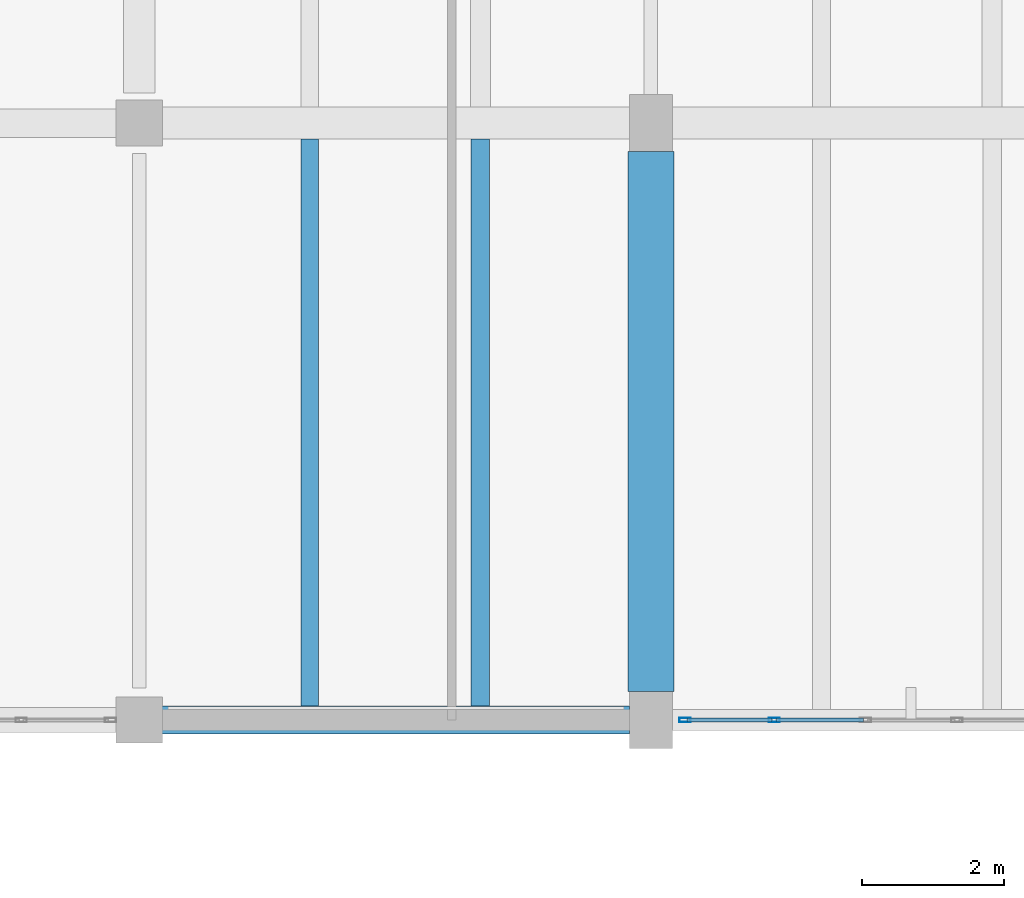
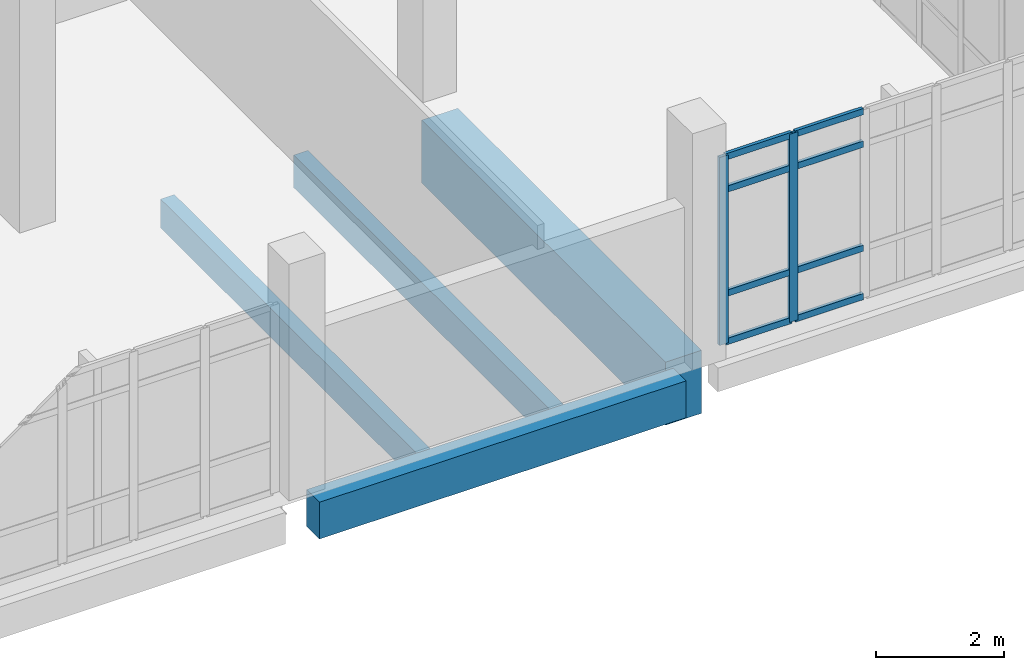
# One storey, part 71 of 116: 10 members, 4 beams, 1 element without a shape of its own.
"""IFC4 building model written with IfcOpenShell, lengths in metres."""

from ifc_helpers import new_model, si_unit, direction, frame, origin, origin_2d, place, context, subcontext, project, spatial, rectangle, hollow_rectangle, extrude, material, material_profile, profile_set, type_object, element, aggregate, save


model = new_model("IFC4")

# Units and contexts
model_context = context("Model", 3, precision=1e-05, world=origin(), true_north=direction((0.0, 1.0)))
body_context = subcontext(model_context, "Body", "Model", "MODEL_VIEW")
ifc_project = project(units=[si_unit("LENGTHUNIT", "METRE"), si_unit("AREAUNIT", "SQUARE_METRE"), si_unit("VOLUMEUNIT", "CUBIC_METRE"), si_unit("PLANEANGLEUNIT", "RADIAN"), si_unit("MASSUNIT", "GRAM", prefix="KILO")], contexts=[model_context])

# Site, building, storey
site_placement = place(None, origin())
site = spatial("IfcSite", under=ifc_project, at=site_placement, CompositionType="ELEMENT")
building_placement = place(site_placement, origin())
building = spatial("IfcBuilding", under=site, at=building_placement, Name="Kalluvel Institute of Natural Sciences", CompositionType="ELEMENT")
storey_placement = place(building_placement, frame((0.0, 0.0, 14.39990234375)))
storey = spatial("IfcBuildingStorey", under=building, at=storey_placement, Name="L03", CompositionType="ELEMENT", Elevation=14.39990234375)

# Beam
ifc_material_1 = material(Name="Concrete M50", Category="concrete")
ifc_material_profile_1 = material_profile(ifc_material_1, rectangle(XDim=0.64990234375, YDim=1.199951171875, at=origin_2d()), Name="RCB 650x1200")
ifc_profile_set_1 = profile_set([ifc_material_profile_1], Name="Concrete M50")
beam_type_1 = type_object("IfcBeamType", Name="BM-RC650x1200", PredefinedType="BEAM", material=ifc_profile_set_1)
beam_1_placement = place(storey_placement, frame((107.60009765625, 103.199951171875, -0.919921875), z_axis=(0.0, 1.0, 0.0), x_axis=(-1.0, 0.0, 0.0)))
element("IfcBeam", 1, at=beam_1_placement, inside=storey, type_object=beam_type_1, Name="L03 girder GIR-L03-NS-X1076-Y1028", PredefinedType="BEAM", context=body_context, shape_type="SweptSolid", body=[
    extrude(rectangle(XDim=0.64990234375, YDim=1.199951171875, at=origin_2d()), origin(), (0.0, 0.0, 1.0), 7.60009765625),
])

# Curtain wall, members
ifc_material_2 = material(Name="Aluminium AW-6063 T6", Category="aluminium")
curtain_wall_type = type_object("IfcCurtainWallType", Name="CW-WET-45", PredefinedType="USERDEFINED", material=ifc_material_2)
curtain_wall_placement = place(storey_placement, origin())
curtain_wall = element("IfcCurtainWall", 2, at=curtain_wall_placement, inside=storey, type_object=curtain_wall_type, Name="L03 Gothic lancet curtain wall CWA-L03-X1080-Y1028", ObjectType="UNITISED LANCET FACADE", PredefinedType="USERDEFINED")
ifc_material_profile_2 = material_profile(ifc_material_2, hollow_rectangle(XDim=0.06005859375, YDim=0.159912109375, WallThickness=0.00390625, at=origin_2d()), Name="CWM 60x160")
ifc_profile_set_2 = profile_set([ifc_material_profile_2], Name="Aluminium AW-6063 T6")
member_type_1 = type_object("IfcMemberType", Name="CWM-60x160", PredefinedType="MULLION", material=ifc_profile_set_2)
member_1_placement = place(storey_placement, frame((108.080078125, 102.800048828125, 0.0), z_axis=(0.0, 0.0, 1.0), x_axis=(0.0, 1.0, 0.0)))
member_1 = element("IfcMember", 3, at=member_1_placement, type_object=member_type_1, Name="CW-01 mullion 1", PredefinedType="MULLION", context=body_context, shape_type="SweptSolid", body=[
    extrude(hollow_rectangle(XDim=0.06005859375, YDim=0.159912109375, WallThickness=0.00390625, at=origin_2d()), origin(), (0.0, 0.0, 1.0), 3.580078125),
])
member_2_placement = place(storey_placement, frame((109.3349609375, 102.800048828125, 0.0), z_axis=(0.0, 0.0, 1.0), x_axis=(0.0, 1.0, 0.0)))
member_2 = element("IfcMember", 4, at=member_2_placement, type_object=member_type_1, Name="CW-01 mullion 2", PredefinedType="MULLION", context=body_context, shape_type="SweptSolid", body=[
    extrude(hollow_rectangle(XDim=0.06005859375, YDim=0.159912109375, WallThickness=0.00390625, at=origin_2d()), origin(), (0.0, 0.0, 1.0), 3.580078125),
])
ifc_material_profile_3 = material_profile(ifc_material_2, hollow_rectangle(XDim=0.06005859375, YDim=0.1201171875, WallThickness=0.00390625, at=origin_2d()), Name="CWT 60x120")
ifc_profile_set_3 = profile_set([ifc_material_profile_3], Name="Aluminium AW-6063 T6")
member_type_2 = type_object("IfcMemberType", Name="CWT-60x120", PredefinedType="USERDEFINED", material=ifc_profile_set_3)
member_3_placement = place(storey_placement, frame((108.110107421875, 102.800048828125, 0.030029296875), z_axis=(1.0, 0.0, 0.0), x_axis=(0.0, 1.0, 0.0)))
member_3 = element("IfcMember", 5, at=member_3_placement, type_object=member_type_2, Name="CW-01 transom 1.1", ObjectType="TRANSOM", PredefinedType="USERDEFINED", context=body_context, shape_type="SweptSolid", body=[
    extrude(hollow_rectangle(XDim=0.06005859375, YDim=0.1201171875, WallThickness=0.00390625, at=origin_2d()), origin(), (0.0, 0.0, 1.0), 1.19482421875),
])
member_4_placement = place(storey_placement, frame((108.110107421875, 102.800048828125, 0.9501953125), z_axis=(1.0, 0.0, 0.0), x_axis=(0.0, 1.0, 0.0)))
member_4 = element("IfcMember", 6, at=member_4_placement, type_object=member_type_2, Name="CW-01 transom 1.2", ObjectType="TRANSOM", PredefinedType="USERDEFINED", context=body_context, shape_type="SweptSolid", body=[
    extrude(hollow_rectangle(XDim=0.06005859375, YDim=0.1201171875, WallThickness=0.00390625, at=origin_2d()), origin(), (0.0, 0.0, 1.0), 1.19482421875),
])
member_5_placement = place(storey_placement, frame((108.110107421875, 102.800048828125, 2.93017578125), z_axis=(1.0, 0.0, 0.0), x_axis=(0.0, 1.0, 0.0)))
member_5 = element("IfcMember", 7, at=member_5_placement, type_object=member_type_2, Name="CW-01 transom 1.3", ObjectType="TRANSOM", PredefinedType="USERDEFINED", context=body_context, shape_type="SweptSolid", body=[
    extrude(hollow_rectangle(XDim=0.06005859375, YDim=0.1201171875, WallThickness=0.00390625, at=origin_2d()), origin(), (0.0, 0.0, 1.0), 1.19482421875),
])
member_6_placement = place(storey_placement, frame((108.110107421875, 102.800048828125, 3.550048828125), z_axis=(1.0, 0.0, 0.0), x_axis=(0.0, 1.0, 0.0)))
member_6 = element("IfcMember", 8, at=member_6_placement, type_object=member_type_2, Name="CW-01 transom 1.4", ObjectType="TRANSOM", PredefinedType="USERDEFINED", context=body_context, shape_type="SweptSolid", body=[
    extrude(hollow_rectangle(XDim=0.06005859375, YDim=0.1201171875, WallThickness=0.00390625, at=origin_2d()), origin(), (0.0, 0.0, 1.0), 1.19482421875),
])
member_7_placement = place(storey_placement, frame((109.364990234375, 102.800048828125, 0.030029296875), z_axis=(1.0, 0.0, 0.0), x_axis=(0.0, 1.0, 0.0)))
member_7 = element("IfcMember", 9, at=member_7_placement, type_object=member_type_2, Name="CW-01 transom 2.1", ObjectType="TRANSOM", PredefinedType="USERDEFINED", context=body_context, shape_type="SweptSolid", body=[
    extrude(hollow_rectangle(XDim=0.06005859375, YDim=0.1201171875, WallThickness=0.00390625, at=origin_2d()), origin(), (0.0, 0.0, 1.0), 1.22509765625),
])
member_8_placement = place(storey_placement, frame((109.364990234375, 102.800048828125, 0.9501953125), z_axis=(1.0, 0.0, 0.0), x_axis=(0.0, 1.0, 0.0)))
member_8 = element("IfcMember", 10, at=member_8_placement, type_object=member_type_2, Name="CW-01 transom 2.2", ObjectType="TRANSOM", PredefinedType="USERDEFINED", context=body_context, shape_type="SweptSolid", body=[
    extrude(hollow_rectangle(XDim=0.06005859375, YDim=0.1201171875, WallThickness=0.00390625, at=origin_2d()), origin(), (0.0, 0.0, 1.0), 1.22509765625),
])
member_9_placement = place(storey_placement, frame((109.364990234375, 102.800048828125, 2.93017578125), z_axis=(1.0, 0.0, 0.0), x_axis=(0.0, 1.0, 0.0)))
member_9 = element("IfcMember", 11, at=member_9_placement, type_object=member_type_2, Name="CW-01 transom 2.3", ObjectType="TRANSOM", PredefinedType="USERDEFINED", context=body_context, shape_type="SweptSolid", body=[
    extrude(hollow_rectangle(XDim=0.06005859375, YDim=0.1201171875, WallThickness=0.00390625, at=origin_2d()), origin(), (0.0, 0.0, 1.0), 1.22509765625),
])
member_10_placement = place(storey_placement, frame((109.364990234375, 102.800048828125, 3.550048828125), z_axis=(1.0, 0.0, 0.0), x_axis=(0.0, 1.0, 0.0)))
member_10 = element("IfcMember", 12, at=member_10_placement, type_object=member_type_2, Name="CW-01 transom 2.4", ObjectType="TRANSOM", PredefinedType="USERDEFINED", context=body_context, shape_type="SweptSolid", body=[
    extrude(hollow_rectangle(XDim=0.06005859375, YDim=0.1201171875, WallThickness=0.00390625, at=origin_2d()), origin(), (0.0, 0.0, 1.0), 1.22509765625),
])
aggregate(curtain_wall, [member_1, member_2, member_3, member_4, member_5, member_6, member_7, member_8, member_9, member_10])

# Beams
ifc_material_3 = material(Name="Concrete M40", Category="concrete")
ifc_material_profile_4 = material_profile(ifc_material_3, rectangle(XDim=0.39990234375, YDim=0.699951171875, at=origin_2d()), Name="RCB 400x700")
ifc_profile_set_4 = profile_set([ifc_material_profile_4], Name="Concrete M40")
beam_type_2 = type_object("IfcBeamType", Name="SP-RC400x700", PredefinedType="SPANDREL", material=ifc_profile_set_4)
beam_2_placement = place(storey_placement, frame((100.699951171875, 102.800048828125, -0.669921875), z_axis=(1.0, 0.0, 0.0), x_axis=(0.0, 1.0, 0.0)))
element("IfcBeam", 13, at=beam_2_placement, inside=storey, type_object=beam_type_2, Name="L03 girder GIR-L03-EW-X1004-Y1028", PredefinedType="SPANDREL", context=body_context, shape_type="SweptSolid", body=[
    extrude(rectangle(XDim=0.39990234375, YDim=0.699951171875, at=origin_2d()), origin(), (0.0, 0.0, 1.0), 6.60009765625),
])
ifc_material_profile_5 = material_profile(ifc_material_3, rectangle(XDim=0.25, YDim=0.550048828125, at=origin_2d()), Name="WAF 250x550")
ifc_profile_set_5 = profile_set([ifc_material_profile_5], Name="Concrete M40")
beam_type_3 = type_object("IfcBeamType", Name="WJ-250x550", PredefinedType="JOIST", material=ifc_profile_set_5)
beam_3_placement = place(storey_placement, frame((102.800048828125, 103.0, -0.594970703125), z_axis=(0.0, 1.0, 0.0), x_axis=(-1.0, 0.0, 0.0)))
element("IfcBeam", 14, at=beam_3_placement, inside=storey, type_object=beam_type_3, Name="L03 waffle joist RIB-L03-0281", PredefinedType="JOIST", context=body_context, shape_type="SweptSolid", body=[
    extrude(rectangle(XDim=0.25, YDim=0.550048828125, at=origin_2d()), origin(), (0.0, 0.0, 1.0), 7.97509765625),
])
ifc_material_profile_6 = material_profile(ifc_material_1, rectangle(XDim=0.260009765625, YDim=0.6201171875, at=origin_2d()), Name="WAF 260x620")
ifc_profile_set_6 = profile_set([ifc_material_profile_6], Name="Concrete M50")
beam_type_4 = type_object("IfcBeamType", Name="WJ-260x620", PredefinedType="JOIST", material=ifc_profile_set_6)
beam_4_placement = place(storey_placement, frame((105.199951171875, 103.0, -0.6298828125), z_axis=(0.0, 1.0, 0.0), x_axis=(-1.0, 0.0, 0.0)))
element("IfcBeam", 15, at=beam_4_placement, inside=storey, type_object=beam_type_4, Name="L03 waffle joist RIB-L03-0282", PredefinedType="JOIST", context=body_context, shape_type="SweptSolid", body=[
    extrude(rectangle(XDim=0.260009765625, YDim=0.6201171875, at=origin_2d()), origin(), (0.0, 0.0, 1.0), 7.97509765625),
])

save(model, "model.ifc")
